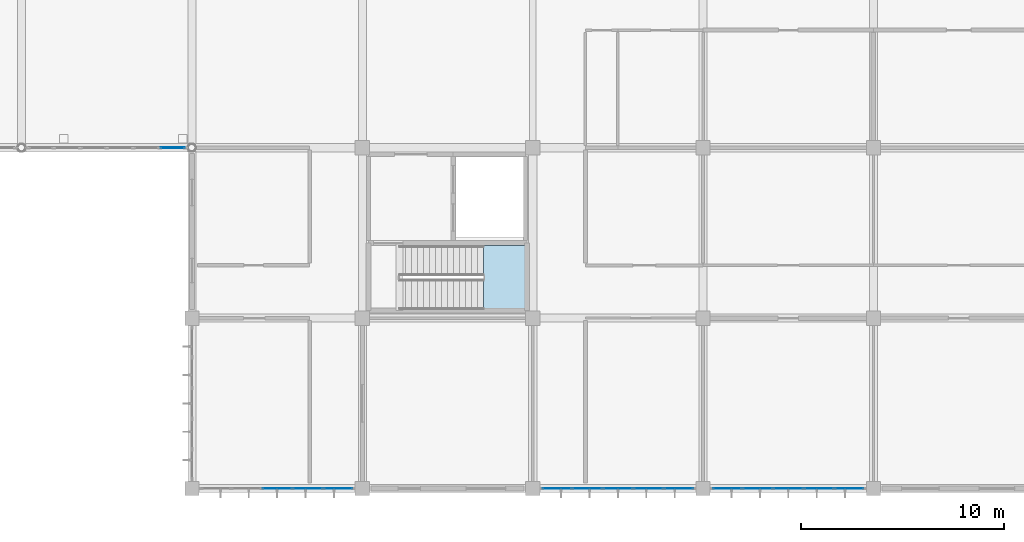
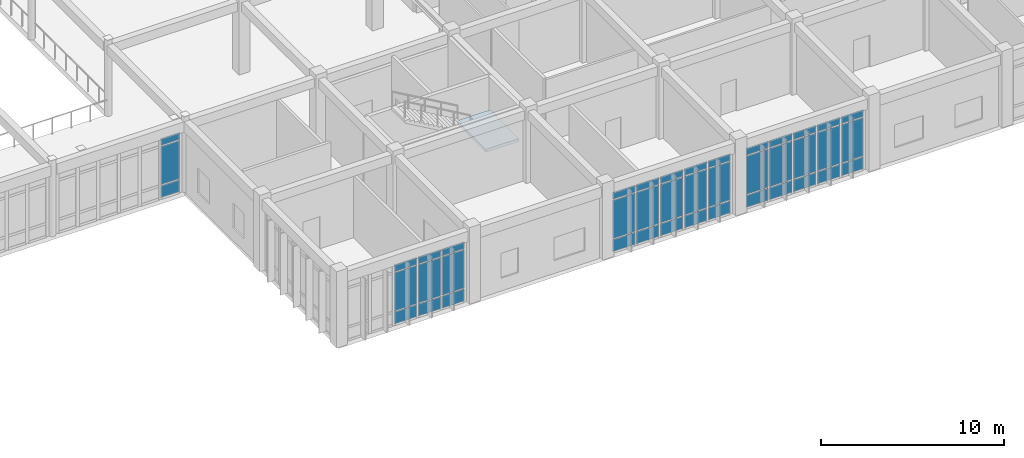
# One storey, part 70 of 134: 42 plates, 1 slab, 5 elements without a shape of their own.
"""IFC4 building model written with IfcOpenShell, lengths in metres."""

import ifcopenshell
import ifcopenshell.guid

model = None  # the IFC model being written
_history = None  # IfcOwnerHistory: only IFC2X3 demands one
_inside = {}  # id of a spatial element -> (the spatial element, [elements in it])
_under = {}  # id of a project, library or spatial element -> (it, [spatial elements below it])
_declared = {}  # id of a project -> (the project, [libraries it declares])
_typed = {}  # id of a type object -> (the type object, [elements of that type])
_made_of = {}  # id of a material, layer set ... -> (it, [elements and type objects made of it])


def new_model(schema):
    """Start an empty IFC model of exactly this schema.

    Asked for "IFC4X3", IfcOpenShell would pick the latest addendum, in which some entities
    have other attributes; the version numbers below select the first issue.
    IFC2X3 requires an IfcOwnerHistory on every rooted entity: one is made here for all.
    """
    global model, _history
    if schema == "IFC4X3":
        model = ifcopenshell.file(schema_version=(4, 3, 0, 0))
    else:
        model = ifcopenshell.file(schema=schema)
    _inside.clear()
    _under.clear()
    _declared.clear()
    _typed.clear()
    _made_of.clear()
    _history = None
    if model.schema == "IFC2X3":
        org = make("IfcOrganization", Name="unknown")
        user = make(
            "IfcPersonAndOrganization",
            ThePerson=make("IfcPerson", FamilyName="unknown"),
            TheOrganization=org,
        )
        app = make(
            "IfcApplication",
            ApplicationDeveloper=org,
            Version="unknown",
            ApplicationFullName="unknown",
            ApplicationIdentifier="unknown",
        )
        _history = make(
            "IfcOwnerHistory",
            OwningUser=user,
            OwningApplication=app,
            ChangeAction="ADDED",
            CreationDate=0,
        )
    return model


def make(cls, **values):
    """One entity of the class cls with the attributes given. An attribute that is None is left unset."""
    return model.create_entity(
        cls, **{name: value for name, value in values.items() if value is not None}
    )


def rooted(cls, **values):
    """An entity with a GlobalId (a new one), such as an element, a storey or a relation."""
    return make(cls, GlobalId=ifcopenshell.guid.new(), OwnerHistory=_history, **values)


def si_unit(unit_type, name, prefix=None):
    """IfcSIUnit, for example si_unit("LENGTHUNIT", "METRE", prefix="MILLI")."""
    return make("IfcSIUnit", UnitType=unit_type, Prefix=prefix, Name=name)


def assignment(units):
    """IfcUnitAssignment: the units of a project."""
    return None if units is None else make("IfcUnitAssignment", Units=units)


def point(xyz):
    """IfcCartesianPoint."""
    return None if xyz is None else make("IfcCartesianPoint", Coordinates=xyz)


def direction(xyz):
    """IfcDirection."""
    return None if xyz is None else make("IfcDirection", DirectionRatios=xyz)


def frame(location, z_axis=None, x_axis=None):
    """IfcAxis2Placement3D, a coordinate frame: its origin and axes. An axis left out is left unset."""
    return make(
        "IfcAxis2Placement3D",
        Location=point(location),
        Axis=direction(z_axis),
        RefDirection=direction(x_axis),
    )


def frame_2d(location, x_axis=None):
    """IfcAxis2Placement2D, a coordinate frame in the plane: its origin and x axis."""
    return make(
        "IfcAxis2Placement2D", Location=point(location), RefDirection=direction(x_axis)
    )


def origin():
    """The frame at (0, 0, 0) with its axes left unset."""
    return frame((0.0, 0.0, 0.0))


def origin_2d():
    """The frame at (0, 0) in the plane with its x axis left unset."""
    return frame_2d((0.0, 0.0))


def place(relative_to, where):
    """IfcLocalPlacement: puts the frame where relative to a parent placement (None: the world)."""
    return make(
        "IfcLocalPlacement", PlacementRelTo=relative_to, RelativePlacement=where
    )


def context(
    kind, dimensions, precision=None, world=None, true_north=None, identifier=None
):
    """IfcGeometricRepresentationContext, for example the 3D "Model" context."""
    return make(
        "IfcGeometricRepresentationContext",
        ContextIdentifier=identifier,
        ContextType=kind,
        CoordinateSpaceDimension=dimensions,
        Precision=precision,
        WorldCoordinateSystem=world,
        TrueNorth=true_north,
    )


def subcontext(parent, identifier, kind, view, scale=None):
    """IfcGeometricRepresentationSubContext, for example "Body" below "Model"."""
    return make(
        "IfcGeometricRepresentationSubContext",
        ContextIdentifier=identifier,
        ContextType=kind,
        ParentContext=parent,
        TargetScale=scale,
        TargetView=view,
    )


def project(units=None, contexts=None):
    """IfcProject with its units and contexts."""
    return rooted(
        "IfcProject",
        Name="project",
        RepresentationContexts=contexts,
        UnitsInContext=assignment(units),
    )


def spatial(cls, under=None, at=None, **own):
    """A site, building, storey or space (cls), placed at a placement, below another one or the project."""
    s = rooted(cls, ObjectPlacement=at, **own)
    if under is not None:
        _under.setdefault(under.id(), (under, []))[1].append(s)
    return s


def polyline(points):
    """IfcPolyline through the points."""
    return make("IfcPolyline", Points=[point(p) for p in points])


def profile(cls, at=None, kind="AREA", **sizes):
    """A parametric profile (cls). Its sizes go by their IFC names, for example OverallWidth=200.0."""
    return make(cls, ProfileType=kind, Position=at, **sizes)


def rectangle(**sizes):
    """IfcRectangleProfileDef."""
    return profile("IfcRectangleProfileDef", **sizes)


def outline(outer, holes=None, kind="AREA"):
    """IfcArbitraryClosedProfileDef: a profile drawn as a closed curve; with holes, ...WithVoids."""
    if holes is None:
        return make("IfcArbitraryClosedProfileDef", ProfileType=kind, OuterCurve=outer)
    return make(
        "IfcArbitraryProfileDefWithVoids",
        ProfileType=kind,
        OuterCurve=outer,
        InnerCurves=holes,
    )


def extrude(swept, where, along, depth):
    """IfcExtrudedAreaSolid: the profile swept, set in the frame where, extruded along a direction by depth."""
    return make(
        "IfcExtrudedAreaSolid",
        SweptArea=swept,
        Position=where,
        ExtrudedDirection=direction(along),
        Depth=depth,
    )


def shape(context_of_items, identifier, shape_type, items):
    """IfcShapeRepresentation: the items that make up one representation, for example the "Body"."""
    return make(
        "IfcShapeRepresentation",
        ContextOfItems=context_of_items,
        RepresentationIdentifier=identifier,
        RepresentationType=shape_type,
        Items=items,
    )


def material(Name=None, Category=None):
    """IfcMaterial."""
    return make("IfcMaterial", Name=Name, Category=Category)


def layer(
    of_material, thickness, ventilated=None, Name=None, Category=None, Priority=None
):
    """IfcMaterialLayer: one layer of a wall or slab, of a material (None: an air gap)."""
    return make(
        "IfcMaterialLayer",
        Material=of_material,
        LayerThickness=thickness,
        IsVentilated=ventilated,
        Name=Name,
        Category=Category,
        Priority=Priority,
    )


def layer_set(layers, Name=None):
    """IfcMaterialLayerSet."""
    return make("IfcMaterialLayerSet", MaterialLayers=layers, LayerSetName=Name)


def made_of(thing, what):
    """Note that an element or type object is made of a material, layer set ...; save() writes the relation."""
    if what is not None:
        _made_of.setdefault(what.id(), (what, []))[1].append(thing)
    return thing


def type_object(cls, material=None, **own):
    """A type object (cls), such as IfcWallType, which elements share."""
    return made_of(rooted(cls, **own), material)


def element(
    cls,
    number,
    at=None,
    inside=None,
    cuts=None,
    type_object=None,
    material=None,
    context=None,
    identifier="Body",
    shape_type=None,
    held_by="IfcProductDefinitionShape",
    body=None,
    shapes=None,
    **own,
):
    """One element of the class cls, such as IfcWall. Its Tag is "e" and its number.

    at: its placement. inside: the storey or other place that contains it. cuts: it is an
    opening in that element (IfcRelVoidsElement). A single representation is given by context,
    identifier, shape_type and body (its items); several are given by shapes. held_by: the class
    of the entity that holds the representations. save() writes the other relations.
    """
    e = rooted(cls, Tag="e%d" % number, ObjectPlacement=at, **own)
    if body is not None:
        shapes = [shape(context, identifier, shape_type, body)]
    if shapes is not None:
        e.Representation = make(held_by, Representations=shapes)
    if inside is not None:
        _inside.setdefault(inside.id(), (inside, []))[1].append(e)
    if cuts is not None:
        rooted(
            "IfcRelVoidsElement", RelatingBuildingElement=cuts, RelatedOpeningElement=e
        )
    if type_object is not None:
        _typed.setdefault(type_object.id(), (type_object, []))[1].append(e)
    return made_of(e, material)


def aggregate(whole, parts):
    """IfcRelAggregates: a whole, such as a stair, and the parts it consists of."""
    return rooted("IfcRelAggregates", RelatingObject=whole, RelatedObjects=parts)


def save(model, path):
    """Write the relations noted so far, then the file.

    IfcRelAggregates (storeys below a building ...), IfcRelContainedInSpatialStructure (elements
    in a storey), IfcRelDefinesByType, IfcRelAssociatesMaterial and IfcRelDeclares: one each for
    every whole, place, type object, material and project.
    """
    for whole, parts in _under.values():
        aggregate(whole, parts)
    for where, things in _inside.values():
        rooted(
            "IfcRelContainedInSpatialStructure",
            RelatedElements=things,
            RelatingStructure=where,
        )
    for kind, things in _typed.values():
        rooted("IfcRelDefinesByType", RelatedObjects=things, RelatingType=kind)
    for what, things in _made_of.values():
        rooted("IfcRelAssociatesMaterial", RelatedObjects=things, RelatingMaterial=what)
    for by, libraries in _declared.values():
        rooted("IfcRelDeclares", RelatingContext=by, RelatedDefinitions=libraries)
    model.write(path)


model = new_model("IFC4")

# Units and contexts
model_context = context("Model", 3, precision=1e-05, world=origin(), true_north=direction((0.0, 1.0)))
body_context = subcontext(model_context, "Body", "Model", "MODEL_VIEW")
ifc_project = project(units=[si_unit("LENGTHUNIT", "METRE"), si_unit("AREAUNIT", "SQUARE_METRE"), si_unit("VOLUMEUNIT", "CUBIC_METRE"), si_unit("PLANEANGLEUNIT", "RADIAN"), si_unit("MASSUNIT", "GRAM", prefix="KILO")], contexts=[model_context])

# Site, building, storey
site_placement = place(None, origin())
site = spatial("IfcSite", under=ifc_project, at=site_placement, CompositionType="ELEMENT")
building_placement = place(site_placement, origin())
building = spatial("IfcBuilding", under=site, at=building_placement, Name="Bramfleet General Hospital", CompositionType="ELEMENT")
storey_placement = place(building_placement, frame((0.0, 0.0, 9.300048828125)))
storey = spatial("IfcBuildingStorey", under=building, at=storey_placement, Name="L02", CompositionType="ELEMENT", Elevation=9.300048828125)

# Curtain wall, plates
ifc_material_1 = material(Name="Anodised aluminium and low-E triple glazing", Category="aluminium")
ifc_layer_1 = layer(ifc_material_1, 0.179931640625, Name="CWT-CW-17")
ifc_layer_set_1 = layer_set([ifc_layer_1], Name="Anodised aluminium and low-E triple glazing")
curtain_wall_type_1 = type_object("IfcCurtainWallType", Name="CWT-CW-17", PredefinedType="USERDEFINED", material=ifc_layer_set_1)
curtain_wall_1_placement = place(storey_placement, origin())
curtain_wall_1 = element("IfcCurtainWall", 1, at=curtain_wall_1_placement, inside=storey, type_object=curtain_wall_type_1, Name="L02 Curtain Wall 125", ObjectType="Stick curtain wall", PredefinedType="USERDEFINED")
ifc_material_2 = material(Name="Low-E laminated safety glass", Category="glass")
ifc_layer_2 = layer(ifc_material_2, 0.028076171875, Name="CWP-GLZ-1")
ifc_layer_set_2 = layer_set([ifc_layer_2], Name="Low-E laminated safety glass")
plate_type_1 = type_object("IfcPlateType", Name="CWP-GLZ-1", PredefinedType="CURTAIN_PANEL", material=ifc_layer_set_2)
plate_1_placement = place(storey_placement, frame((124.802490234375, 0.0, 0.06494140625), z_axis=(0.0, 0.0, 1.0), x_axis=(-1.0, 0.0, 0.0)))
plate_1 = element("IfcPlate", 2, at=plate_1_placement, type_object=plate_type_1, Name="CW-17 panel 1.1", PredefinedType="CURTAIN_PANEL", context=body_context, shape_type="SweptSolid", body=[
    extrude(rectangle(XDim=1.405029296875, YDim=0.028076171875, at=origin_2d()), origin(), (0.0, 0.0, 1.0), 0.802490234375),
])
plate_2_placement = place(storey_placement, frame((124.802490234375, 0.0, 0.9326171875), z_axis=(0.0, 0.0, 1.0), x_axis=(-1.0, 0.0, 0.0)))
plate_2 = element("IfcPlate", 3, at=plate_2_placement, type_object=plate_type_1, Name="CW-17 panel 1.2", PredefinedType="CURTAIN_PANEL", context=body_context, shape_type="SweptSolid", body=[
    extrude(rectangle(XDim=1.405029296875, YDim=0.028076171875, at=origin_2d()), origin(), (0.0, 0.0, 1.0), 2.554931640625),
])
plate_3_placement = place(storey_placement, frame((124.802490234375, 0.0, 3.552734375), z_axis=(0.0, 0.0, 1.0), x_axis=(-1.0, 0.0, 0.0)))
plate_3 = element("IfcPlate", 4, at=plate_3_placement, type_object=plate_type_1, Name="CW-17 panel 1.3", PredefinedType="CURTAIN_PANEL", context=body_context, shape_type="SweptSolid", body=[
    extrude(rectangle(XDim=1.405029296875, YDim=0.028076171875, at=origin_2d()), origin(), (0.0, 0.0, 1.0), 0.452392578125),
])
plate_4_placement = place(storey_placement, frame((123.31005859375, 0.0, 0.06494140625), z_axis=(0.0, 0.0, 1.0), x_axis=(-1.0, 0.0, 0.0)))
plate_4 = element("IfcPlate", 5, at=plate_4_placement, type_object=plate_type_1, Name="CW-17 panel 2.1", PredefinedType="CURTAIN_PANEL", context=body_context, shape_type="SweptSolid", body=[
    extrude(rectangle(XDim=1.43994140625, YDim=0.028076171875, at=origin_2d()), origin(), (0.0, 0.0, 1.0), 0.802490234375),
])
plate_5_placement = place(storey_placement, frame((123.31005859375, 0.0, 0.9326171875), z_axis=(0.0, 0.0, 1.0), x_axis=(-1.0, 0.0, 0.0)))
plate_5 = element("IfcPlate", 6, at=plate_5_placement, type_object=plate_type_1, Name="CW-17 panel 2.2", PredefinedType="CURTAIN_PANEL", context=body_context, shape_type="SweptSolid", body=[
    extrude(rectangle(XDim=1.43994140625, YDim=0.028076171875, at=origin_2d()), origin(), (0.0, 0.0, 1.0), 2.554931640625),
])
plate_6_placement = place(storey_placement, frame((123.31005859375, 0.0, 3.552734375), z_axis=(0.0, 0.0, 1.0), x_axis=(-1.0, 0.0, 0.0)))
plate_6 = element("IfcPlate", 7, at=plate_6_placement, type_object=plate_type_1, Name="CW-17 panel 2.3", PredefinedType="CURTAIN_PANEL", context=body_context, shape_type="SweptSolid", body=[
    extrude(rectangle(XDim=1.43994140625, YDim=0.028076171875, at=origin_2d()), origin(), (0.0, 0.0, 1.0), 0.452392578125),
])
plate_7_placement = place(storey_placement, frame((121.800048828125, 0.0, 0.06494140625), z_axis=(0.0, 0.0, 1.0), x_axis=(-1.0, 0.0, 0.0)))
plate_7 = element("IfcPlate", 8, at=plate_7_placement, type_object=plate_type_1, Name="CW-17 panel 3.1", PredefinedType="CURTAIN_PANEL", context=body_context, shape_type="SweptSolid", body=[
    extrude(rectangle(XDim=1.43994140625, YDim=0.028076171875, at=origin_2d()), origin(), (0.0, 0.0, 1.0), 0.802490234375),
])
plate_8_placement = place(storey_placement, frame((121.800048828125, 0.0, 0.9326171875), z_axis=(0.0, 0.0, 1.0), x_axis=(-1.0, 0.0, 0.0)))
plate_8 = element("IfcPlate", 9, at=plate_8_placement, type_object=plate_type_1, Name="CW-17 panel 3.2", PredefinedType="CURTAIN_PANEL", context=body_context, shape_type="SweptSolid", body=[
    extrude(rectangle(XDim=1.43994140625, YDim=0.028076171875, at=origin_2d()), origin(), (0.0, 0.0, 1.0), 2.554931640625),
])
plate_9_placement = place(storey_placement, frame((121.800048828125, 0.0, 3.552734375), z_axis=(0.0, 0.0, 1.0), x_axis=(-1.0, 0.0, 0.0)))
plate_9 = element("IfcPlate", 10, at=plate_9_placement, type_object=plate_type_1, Name="CW-17 panel 3.3", PredefinedType="CURTAIN_PANEL", context=body_context, shape_type="SweptSolid", body=[
    extrude(rectangle(XDim=1.43994140625, YDim=0.028076171875, at=origin_2d()), origin(), (0.0, 0.0, 1.0), 0.452392578125),
])
plate_10_placement = place(storey_placement, frame((120.2900390625, 0.0, 0.06494140625), z_axis=(0.0, 0.0, 1.0), x_axis=(-1.0, 0.0, 0.0)))
plate_10 = element("IfcPlate", 11, at=plate_10_placement, type_object=plate_type_1, Name="CW-17 panel 4.1", PredefinedType="CURTAIN_PANEL", context=body_context, shape_type="SweptSolid", body=[
    extrude(rectangle(XDim=1.43994140625, YDim=0.028076171875, at=origin_2d()), origin(), (0.0, 0.0, 1.0), 0.802490234375),
])
plate_11_placement = place(storey_placement, frame((120.2900390625, 0.0, 0.9326171875), z_axis=(0.0, 0.0, 1.0), x_axis=(-1.0, 0.0, 0.0)))
plate_11 = element("IfcPlate", 12, at=plate_11_placement, type_object=plate_type_1, Name="CW-17 panel 4.2", PredefinedType="CURTAIN_PANEL", context=body_context, shape_type="SweptSolid", body=[
    extrude(rectangle(XDim=1.43994140625, YDim=0.028076171875, at=origin_2d()), origin(), (0.0, 0.0, 1.0), 2.554931640625),
])
plate_12_placement = place(storey_placement, frame((120.2900390625, 0.0, 3.552734375), z_axis=(0.0, 0.0, 1.0), x_axis=(-1.0, 0.0, 0.0)))
plate_12 = element("IfcPlate", 13, at=plate_12_placement, type_object=plate_type_1, Name="CW-17 panel 4.3", PredefinedType="CURTAIN_PANEL", context=body_context, shape_type="SweptSolid", body=[
    extrude(rectangle(XDim=1.43994140625, YDim=0.028076171875, at=origin_2d()), origin(), (0.0, 0.0, 1.0), 0.452392578125),
])
plate_13_placement = place(storey_placement, frame((118.797607421875, 0.0, 0.06494140625), z_axis=(0.0, 0.0, 1.0), x_axis=(-1.0, 0.0, 0.0)))
plate_13 = element("IfcPlate", 14, at=plate_13_placement, type_object=plate_type_1, Name="CW-17 panel 5.1", PredefinedType="CURTAIN_PANEL", context=body_context, shape_type="SweptSolid", body=[
    extrude(rectangle(XDim=1.405029296875, YDim=0.028076171875, at=origin_2d()), origin(), (0.0, 0.0, 1.0), 0.802490234375),
])
plate_14_placement = place(storey_placement, frame((118.797607421875, 0.0, 0.9326171875), z_axis=(0.0, 0.0, 1.0), x_axis=(-1.0, 0.0, 0.0)))
plate_14 = element("IfcPlate", 15, at=plate_14_placement, type_object=plate_type_1, Name="CW-17 panel 5.2", PredefinedType="CURTAIN_PANEL", context=body_context, shape_type="SweptSolid", body=[
    extrude(rectangle(XDim=1.405029296875, YDim=0.028076171875, at=origin_2d()), origin(), (0.0, 0.0, 1.0), 2.554931640625),
])
plate_15_placement = place(storey_placement, frame((118.797607421875, 0.0, 3.552734375), z_axis=(0.0, 0.0, 1.0), x_axis=(-1.0, 0.0, 0.0)))
plate_15 = element("IfcPlate", 16, at=plate_15_placement, type_object=plate_type_1, Name="CW-17 panel 5.3", PredefinedType="CURTAIN_PANEL", context=body_context, shape_type="SweptSolid", body=[
    extrude(rectangle(XDim=1.405029296875, YDim=0.028076171875, at=origin_2d()), origin(), (0.0, 0.0, 1.0), 0.452392578125),
])
aggregate(curtain_wall_1, [plate_1, plate_2, plate_3, plate_4, plate_5, plate_6, plate_7, plate_8, plate_9, plate_10, plate_11, plate_12, plate_13, plate_14, plate_15])

ifc_layer_3 = layer(ifc_material_1, 0.179931640625, Name="CWT-CW-03")
ifc_layer_set_3 = layer_set([ifc_layer_3], Name="Anodised aluminium and low-E triple glazing")
curtain_wall_type_2 = type_object("IfcCurtainWallType", Name="CWT-CW-03", PredefinedType="USERDEFINED", material=ifc_layer_set_3)
curtain_wall_2_placement = place(storey_placement, origin())
curtain_wall_2 = element("IfcCurtainWall", 17, at=curtain_wall_2_placement, inside=storey, type_object=curtain_wall_type_2, Name="L02 Curtain Wall 129", ObjectType="Unitised curtain wall", PredefinedType="USERDEFINED")
plate_16_placement = place(storey_placement, frame((91.449462890625, 16.800048828125, 0.06494140625), z_axis=(0.0, 0.0, 1.0), x_axis=(-1.0, 0.0, 0.0)))
plate_16 = element("IfcPlate", 18, at=plate_16_placement, type_object=plate_type_1, Name="CW-03 panel 1.1", PredefinedType="CURTAIN_PANEL", context=body_context, shape_type="SweptSolid", body=[
    extrude(rectangle(XDim=1.19482421875, YDim=0.028076171875, at=origin_2d()), origin(), (0.0, 0.0, 1.0), 0.802490234375),
])
plate_17_placement = place(storey_placement, frame((91.449462890625, 16.800048828125, 0.9326171875), z_axis=(0.0, 0.0, 1.0), x_axis=(-1.0, 0.0, 0.0)))
plate_17 = element("IfcPlate", 19, at=plate_17_placement, type_object=plate_type_1, Name="CW-03 panel 1.2", PredefinedType="CURTAIN_PANEL", context=body_context, shape_type="SweptSolid", body=[
    extrude(rectangle(XDim=1.19482421875, YDim=0.028076171875, at=origin_2d()), origin(), (0.0, 0.0, 1.0), 2.554931640625),
])
plate_18_placement = place(storey_placement, frame((91.449462890625, 16.800048828125, 3.552734375), z_axis=(0.0, 0.0, 1.0), x_axis=(-1.0, 0.0, 0.0)))
plate_18 = element("IfcPlate", 20, at=plate_18_placement, type_object=plate_type_1, Name="CW-03 panel 1.3", PredefinedType="CURTAIN_PANEL", context=body_context, shape_type="SweptSolid", body=[
    extrude(rectangle(XDim=1.19482421875, YDim=0.028076171875, at=origin_2d()), origin(), (0.0, 0.0, 1.0), 0.452392578125),
])
aggregate(curtain_wall_2, [plate_16, plate_17, plate_18])

ifc_layer_4 = layer(ifc_material_1, 0.179931640625, Name="CWT-CW-18")
ifc_layer_set_4 = layer_set([ifc_layer_4], Name="Anodised aluminium and low-E triple glazing")
curtain_wall_type_3 = type_object("IfcCurtainWallType", Name="CWT-CW-18", PredefinedType="USERDEFINED", material=ifc_layer_set_4)
curtain_wall_3_placement = place(storey_placement, origin())
curtain_wall_3 = element("IfcCurtainWall", 21, at=curtain_wall_3_placement, inside=storey, type_object=curtain_wall_type_3, Name="L02 Curtain Wall 126", ObjectType="Stick curtain wall", PredefinedType="USERDEFINED")
ifc_layer_5 = layer(ifc_material_2, 0.031982421875, Name="CWP-GLZ-2")
ifc_layer_set_5 = layer_set([ifc_layer_5], Name="Low-E laminated safety glass")
plate_type_2 = type_object("IfcPlateType", Name="CWP-GLZ-2", PredefinedType="CURTAIN_PANEL", material=ifc_layer_set_5)
plate_19_placement = place(storey_placement, frame((116.402587890625, 0.0, 0.06494140625), z_axis=(0.0, 0.0, 1.0), x_axis=(-1.0, 0.0, 0.0)))
plate_19 = element("IfcPlate", 22, at=plate_19_placement, type_object=plate_type_2, Name="CW-18 panel 1.1", PredefinedType="CURTAIN_PANEL", context=body_context, shape_type="SweptSolid", body=[
    extrude(rectangle(XDim=1.405029296875, YDim=0.031982421875, at=origin_2d()), origin(), (0.0, 0.0, 1.0), 0.802490234375),
])
plate_20_placement = place(storey_placement, frame((116.402587890625, 0.0, 0.9326171875), z_axis=(0.0, 0.0, 1.0), x_axis=(-1.0, 0.0, 0.0)))
plate_20 = element("IfcPlate", 23, at=plate_20_placement, type_object=plate_type_2, Name="CW-18 panel 1.2", PredefinedType="CURTAIN_PANEL", context=body_context, shape_type="SweptSolid", body=[
    extrude(rectangle(XDim=1.405029296875, YDim=0.031982421875, at=origin_2d()), origin(), (0.0, 0.0, 1.0), 2.554931640625),
])
plate_21_placement = place(storey_placement, frame((116.402587890625, 0.0, 3.552734375), z_axis=(0.0, 0.0, 1.0), x_axis=(-1.0, 0.0, 0.0)))
plate_21 = element("IfcPlate", 24, at=plate_21_placement, type_object=plate_type_2, Name="CW-18 panel 1.3", PredefinedType="CURTAIN_PANEL", context=body_context, shape_type="SweptSolid", body=[
    extrude(rectangle(XDim=1.405029296875, YDim=0.031982421875, at=origin_2d()), origin(), (0.0, 0.0, 1.0), 0.452392578125),
])
plate_22_placement = place(storey_placement, frame((114.909912109375, 0.0, 0.06494140625), z_axis=(0.0, 0.0, 1.0), x_axis=(-1.0, 0.0, 0.0)))
plate_22 = element("IfcPlate", 25, at=plate_22_placement, type_object=plate_type_2, Name="CW-18 panel 2.1", PredefinedType="CURTAIN_PANEL", context=body_context, shape_type="SweptSolid", body=[
    extrude(rectangle(XDim=1.43994140625, YDim=0.031982421875, at=origin_2d()), origin(), (0.0, 0.0, 1.0), 0.802490234375),
])
plate_23_placement = place(storey_placement, frame((114.909912109375, 0.0, 0.9326171875), z_axis=(0.0, 0.0, 1.0), x_axis=(-1.0, 0.0, 0.0)))
plate_23 = element("IfcPlate", 26, at=plate_23_placement, type_object=plate_type_2, Name="CW-18 panel 2.2", PredefinedType="CURTAIN_PANEL", context=body_context, shape_type="SweptSolid", body=[
    extrude(rectangle(XDim=1.43994140625, YDim=0.031982421875, at=origin_2d()), origin(), (0.0, 0.0, 1.0), 2.554931640625),
])
plate_24_placement = place(storey_placement, frame((114.909912109375, 0.0, 3.552734375), z_axis=(0.0, 0.0, 1.0), x_axis=(-1.0, 0.0, 0.0)))
plate_24 = element("IfcPlate", 27, at=plate_24_placement, type_object=plate_type_2, Name="CW-18 panel 2.3", PredefinedType="CURTAIN_PANEL", context=body_context, shape_type="SweptSolid", body=[
    extrude(rectangle(XDim=1.43994140625, YDim=0.031982421875, at=origin_2d()), origin(), (0.0, 0.0, 1.0), 0.452392578125),
])
plate_25_placement = place(storey_placement, frame((113.39990234375, 0.0, 0.06494140625), z_axis=(0.0, 0.0, 1.0), x_axis=(-1.0, 0.0, 0.0)))
plate_25 = element("IfcPlate", 28, at=plate_25_placement, type_object=plate_type_2, Name="CW-18 panel 3.1", PredefinedType="CURTAIN_PANEL", context=body_context, shape_type="SweptSolid", body=[
    extrude(rectangle(XDim=1.43994140625, YDim=0.031982421875, at=origin_2d()), origin(), (0.0, 0.0, 1.0), 0.802490234375),
])
plate_26_placement = place(storey_placement, frame((113.39990234375, 0.0, 0.9326171875), z_axis=(0.0, 0.0, 1.0), x_axis=(-1.0, 0.0, 0.0)))
plate_26 = element("IfcPlate", 29, at=plate_26_placement, type_object=plate_type_2, Name="CW-18 panel 3.2", PredefinedType="CURTAIN_PANEL", context=body_context, shape_type="SweptSolid", body=[
    extrude(rectangle(XDim=1.43994140625, YDim=0.031982421875, at=origin_2d()), origin(), (0.0, 0.0, 1.0), 2.554931640625),
])
plate_27_placement = place(storey_placement, frame((113.39990234375, 0.0, 3.552734375), z_axis=(0.0, 0.0, 1.0), x_axis=(-1.0, 0.0, 0.0)))
plate_27 = element("IfcPlate", 30, at=plate_27_placement, type_object=plate_type_2, Name="CW-18 panel 3.3", PredefinedType="CURTAIN_PANEL", context=body_context, shape_type="SweptSolid", body=[
    extrude(rectangle(XDim=1.43994140625, YDim=0.031982421875, at=origin_2d()), origin(), (0.0, 0.0, 1.0), 0.452392578125),
])
plate_28_placement = place(storey_placement, frame((111.889892578125, 0.0, 0.06494140625), z_axis=(0.0, 0.0, 1.0), x_axis=(-1.0, 0.0, 0.0)))
plate_28 = element("IfcPlate", 31, at=plate_28_placement, type_object=plate_type_2, Name="CW-18 panel 4.1", PredefinedType="CURTAIN_PANEL", context=body_context, shape_type="SweptSolid", body=[
    extrude(rectangle(XDim=1.43994140625, YDim=0.031982421875, at=origin_2d()), origin(), (0.0, 0.0, 1.0), 0.802490234375),
])
plate_29_placement = place(storey_placement, frame((111.889892578125, 0.0, 0.9326171875), z_axis=(0.0, 0.0, 1.0), x_axis=(-1.0, 0.0, 0.0)))
plate_29 = element("IfcPlate", 32, at=plate_29_placement, type_object=plate_type_2, Name="CW-18 panel 4.2", PredefinedType="CURTAIN_PANEL", context=body_context, shape_type="SweptSolid", body=[
    extrude(rectangle(XDim=1.43994140625, YDim=0.031982421875, at=origin_2d()), origin(), (0.0, 0.0, 1.0), 2.554931640625),
])
plate_30_placement = place(storey_placement, frame((111.889892578125, 0.0, 3.552734375), z_axis=(0.0, 0.0, 1.0), x_axis=(-1.0, 0.0, 0.0)))
plate_30 = element("IfcPlate", 33, at=plate_30_placement, type_object=plate_type_2, Name="CW-18 panel 4.3", PredefinedType="CURTAIN_PANEL", context=body_context, shape_type="SweptSolid", body=[
    extrude(rectangle(XDim=1.43994140625, YDim=0.031982421875, at=origin_2d()), origin(), (0.0, 0.0, 1.0), 0.452392578125),
])
plate_31_placement = place(storey_placement, frame((110.3974609375, 0.0, 0.06494140625), z_axis=(0.0, 0.0, 1.0), x_axis=(-1.0, 0.0, 0.0)))
plate_31 = element("IfcPlate", 34, at=plate_31_placement, type_object=plate_type_2, Name="CW-18 panel 5.1", PredefinedType="CURTAIN_PANEL", context=body_context, shape_type="SweptSolid", body=[
    extrude(rectangle(XDim=1.405029296875, YDim=0.031982421875, at=origin_2d()), origin(), (0.0, 0.0, 1.0), 0.802490234375),
])
plate_32_placement = place(storey_placement, frame((110.3974609375, 0.0, 0.9326171875), z_axis=(0.0, 0.0, 1.0), x_axis=(-1.0, 0.0, 0.0)))
plate_32 = element("IfcPlate", 35, at=plate_32_placement, type_object=plate_type_2, Name="CW-18 panel 5.2", PredefinedType="CURTAIN_PANEL", context=body_context, shape_type="SweptSolid", body=[
    extrude(rectangle(XDim=1.405029296875, YDim=0.031982421875, at=origin_2d()), origin(), (0.0, 0.0, 1.0), 2.554931640625),
])
plate_33_placement = place(storey_placement, frame((110.3974609375, 0.0, 3.552734375), z_axis=(0.0, 0.0, 1.0), x_axis=(-1.0, 0.0, 0.0)))
plate_33 = element("IfcPlate", 36, at=plate_33_placement, type_object=plate_type_2, Name="CW-18 panel 5.3", PredefinedType="CURTAIN_PANEL", context=body_context, shape_type="SweptSolid", body=[
    extrude(rectangle(XDim=1.405029296875, YDim=0.031982421875, at=origin_2d()), origin(), (0.0, 0.0, 1.0), 0.452392578125),
])
aggregate(curtain_wall_3, [plate_19, plate_20, plate_21, plate_22, plate_23, plate_24, plate_25, plate_26, plate_27, plate_28, plate_29, plate_30, plate_31, plate_32, plate_33])

ifc_layer_6 = layer(ifc_material_1, 0.179931640625, Name="CWT-CW-01")
ifc_layer_set_6 = layer_set([ifc_layer_6], Name="Anodised aluminium and low-E triple glazing")
curtain_wall_type_4 = type_object("IfcCurtainWallType", Name="CWT-CW-01", PredefinedType="USERDEFINED", material=ifc_layer_set_6)
curtain_wall_4_placement = place(storey_placement, origin())
curtain_wall_4 = element("IfcCurtainWall", 37, at=curtain_wall_4_placement, inside=storey, type_object=curtain_wall_type_4, Name="L02 Curtain Wall 127", ObjectType="Unitised curtain wall", PredefinedType="USERDEFINED")
ifc_layer_7 = layer(ifc_material_2, 0.035888671875, Name="CWP-GLZ-3")
ifc_layer_set_7 = layer_set([ifc_layer_7], Name="Low-E laminated safety glass")
plate_type_3 = type_object("IfcPlateType", Name="CWP-GLZ-3", PredefinedType="CURTAIN_PANEL", material=ifc_layer_set_7)
plate_34_placement = place(storey_placement, frame((99.6025390625, 0.0, 0.06494140625), z_axis=(0.0, 0.0, 1.0), x_axis=(-1.0, 0.0, 0.0)))
plate_34 = element("IfcPlate", 38, at=plate_34_placement, type_object=plate_type_3, Name="CW-01 panel 1.1", PredefinedType="CURTAIN_PANEL", context=body_context, shape_type="SweptSolid", body=[
    extrude(rectangle(XDim=1.405029296875, YDim=0.035888671875, at=origin_2d()), origin(), (0.0, 0.0, 1.0), 0.802490234375),
])
plate_35_placement = place(storey_placement, frame((99.6025390625, 0.0, 0.9326171875), z_axis=(0.0, 0.0, 1.0), x_axis=(-1.0, 0.0, 0.0)))
plate_35 = element("IfcPlate", 39, at=plate_35_placement, type_object=plate_type_3, Name="CW-01 panel 1.2", PredefinedType="CURTAIN_PANEL", context=body_context, shape_type="SweptSolid", body=[
    extrude(rectangle(XDim=1.405029296875, YDim=0.035888671875, at=origin_2d()), origin(), (0.0, 0.0, 1.0), 2.554931640625),
])
plate_36_placement = place(storey_placement, frame((99.6025390625, 0.0, 3.552734375), z_axis=(0.0, 0.0, 1.0), x_axis=(-1.0, 0.0, 0.0)))
plate_36 = element("IfcPlate", 40, at=plate_36_placement, type_object=plate_type_3, Name="CW-01 panel 1.3", PredefinedType="CURTAIN_PANEL", context=body_context, shape_type="SweptSolid", body=[
    extrude(rectangle(XDim=1.405029296875, YDim=0.035888671875, at=origin_2d()), origin(), (0.0, 0.0, 1.0), 0.452392578125),
])
plate_37_placement = place(storey_placement, frame((98.110107421875, 0.0, 0.06494140625), z_axis=(0.0, 0.0, 1.0), x_axis=(-1.0, 0.0, 0.0)))
plate_37 = element("IfcPlate", 41, at=plate_37_placement, type_object=plate_type_3, Name="CW-01 panel 2.1", PredefinedType="CURTAIN_PANEL", context=body_context, shape_type="SweptSolid", body=[
    extrude(rectangle(XDim=1.43994140625, YDim=0.035888671875, at=origin_2d()), origin(), (0.0, 0.0, 1.0), 0.802490234375),
])
plate_38_placement = place(storey_placement, frame((98.110107421875, 0.0, 0.9326171875), z_axis=(0.0, 0.0, 1.0), x_axis=(-1.0, 0.0, 0.0)))
plate_38 = element("IfcPlate", 42, at=plate_38_placement, type_object=plate_type_3, Name="CW-01 panel 2.2", PredefinedType="CURTAIN_PANEL", context=body_context, shape_type="SweptSolid", body=[
    extrude(rectangle(XDim=1.43994140625, YDim=0.035888671875, at=origin_2d()), origin(), (0.0, 0.0, 1.0), 2.554931640625),
])
plate_39_placement = place(storey_placement, frame((98.110107421875, 0.0, 3.552734375), z_axis=(0.0, 0.0, 1.0), x_axis=(-1.0, 0.0, 0.0)))
plate_39 = element("IfcPlate", 43, at=plate_39_placement, type_object=plate_type_3, Name="CW-01 panel 2.3", PredefinedType="CURTAIN_PANEL", context=body_context, shape_type="SweptSolid", body=[
    extrude(rectangle(XDim=1.43994140625, YDim=0.035888671875, at=origin_2d()), origin(), (0.0, 0.0, 1.0), 0.452392578125),
])
plate_40_placement = place(storey_placement, frame((96.60009765625, 0.0, 0.06494140625), z_axis=(0.0, 0.0, 1.0), x_axis=(-1.0, 0.0, 0.0)))
plate_40 = element("IfcPlate", 44, at=plate_40_placement, type_object=plate_type_3, Name="CW-01 panel 3.1", PredefinedType="CURTAIN_PANEL", context=body_context, shape_type="SweptSolid", body=[
    extrude(rectangle(XDim=1.43994140625, YDim=0.035888671875, at=origin_2d()), origin(), (0.0, 0.0, 1.0), 0.802490234375),
])
plate_41_placement = place(storey_placement, frame((96.60009765625, 0.0, 0.9326171875), z_axis=(0.0, 0.0, 1.0), x_axis=(-1.0, 0.0, 0.0)))
plate_41 = element("IfcPlate", 45, at=plate_41_placement, type_object=plate_type_3, Name="CW-01 panel 3.2", PredefinedType="CURTAIN_PANEL", context=body_context, shape_type="SweptSolid", body=[
    extrude(rectangle(XDim=1.43994140625, YDim=0.035888671875, at=origin_2d()), origin(), (0.0, 0.0, 1.0), 2.554931640625),
])
plate_42_placement = place(storey_placement, frame((96.60009765625, 0.0, 3.552734375), z_axis=(0.0, 0.0, 1.0), x_axis=(-1.0, 0.0, 0.0)))
plate_42 = element("IfcPlate", 46, at=plate_42_placement, type_object=plate_type_3, Name="CW-01 panel 3.3", PredefinedType="CURTAIN_PANEL", context=body_context, shape_type="SweptSolid", body=[
    extrude(rectangle(XDim=1.43994140625, YDim=0.035888671875, at=origin_2d()), origin(), (0.0, 0.0, 1.0), 0.452392578125),
])
aggregate(curtain_wall_4, [plate_34, plate_35, plate_36, plate_37, plate_38, plate_39, plate_40, plate_41, plate_42])

# Stair, slab
ifc_material_3 = material(Name="Concrete C35/45", Category="concrete")
stair_type = type_object("IfcStairType", Name="STR-T1", PredefinedType="HALF_TURN_STAIR", material=ifc_material_3)
stair_placement = place(storey_placement, origin())
stair = element("IfcStair", 47, at=stair_placement, inside=storey, type_object=stair_type, Name="L02 Core C3 (South Ward Wing) Protected Escape Stair", PredefinedType="HALF_TURN_STAIR")
ifc_layer_8 = layer(ifc_material_3, 0.199951171875, Name="SL-LND-200")
ifc_layer_set_8 = layer_set([ifc_layer_8], Name="Concrete C35/45")
slab_type = type_object("IfcSlabType", Name="SL-LND-200", PredefinedType="LANDING", material=ifc_layer_set_8)
slab_placement = place(storey_placement, frame((0.0, 0.0, 2.349853515625)))
slab = element("IfcSlab", 48, at=slab_placement, type_object=slab_type, Name="ST-C3 landing 1", PredefinedType="LANDING", context=body_context, shape_type="SweptSolid", body=[
    extrude(outline(polyline([(106.77001953125, 8.820068359375), (108.860107421875, 8.820068359375), (108.860107421875, 11.97998046875), (106.77001953125, 11.97998046875), (106.77001953125, 8.820068359375)])), origin(), (0.0, 0.0, 1.0), 0.2001953125),
])
aggregate(stair, [slab])

save(model, "model.ifc")
